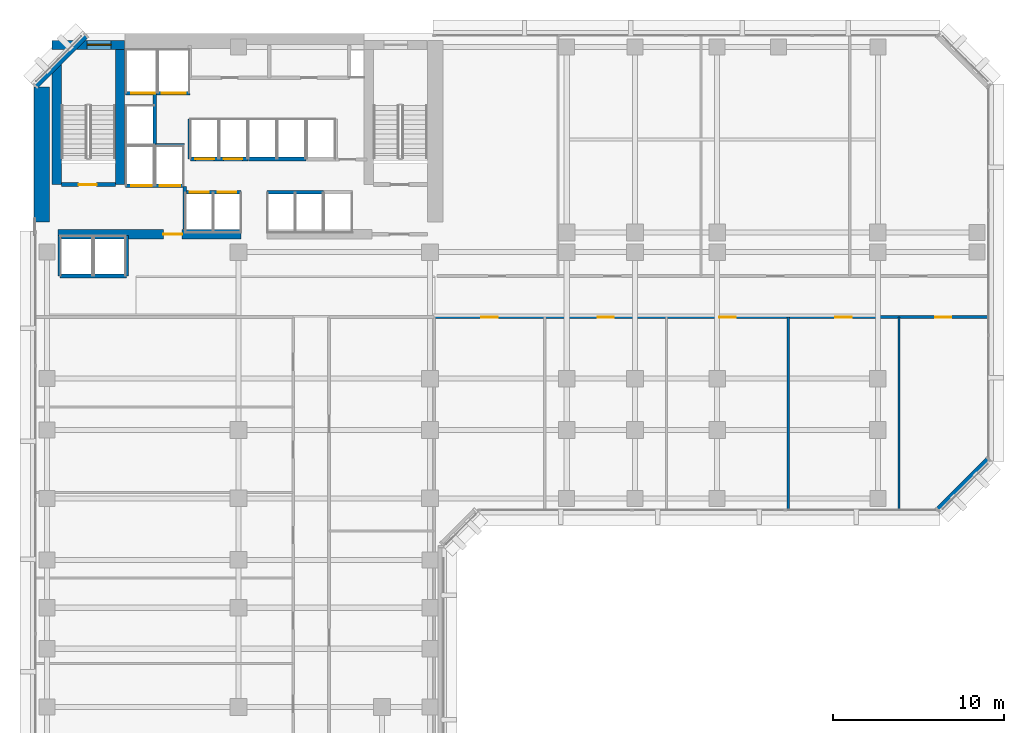
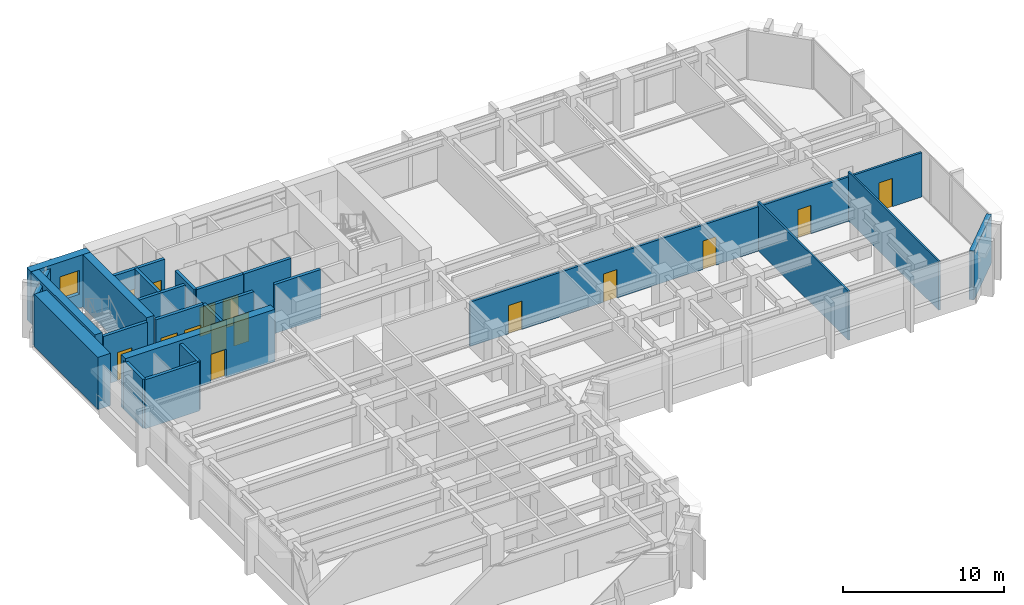
# One storey, part 7 of 13: 24 walls, 15 doors, 1 window, 16 openings.
"""IFC4 building model written with IfcOpenShell, lengths in metres."""

from ifc_helpers import new_model, si_unit, direction, frame, frame_2d, origin, place, context, subcontext, project, spatial, rectangle, extrude, material, layer, layer_set, type_object, element, fill, save


model = new_model("IFC4")

# Units and contexts
model_context = context("Model", 3, precision=1e-05, world=origin(), true_north=direction((0.0, 1.0)))
body_context = subcontext(model_context, "Body", "Model", "MODEL_VIEW")
ifc_project = project(units=[si_unit("LENGTHUNIT", "METRE"), si_unit("AREAUNIT", "SQUARE_METRE"), si_unit("VOLUMEUNIT", "CUBIC_METRE"), si_unit("PLANEANGLEUNIT", "RADIAN"), si_unit("MASSUNIT", "GRAM", prefix="KILO")], contexts=[model_context])

# Site, building, storey
site_placement = place(None, origin())
site = spatial("IfcSite", under=ifc_project, at=site_placement, CompositionType="ELEMENT")
building_placement = place(site_placement, origin())
building = spatial("IfcBuilding", under=site, at=building_placement, Name="Kefirva Bronze Tower", CompositionType="ELEMENT")
storey_placement = place(building_placement, frame((0.0, 0.0, 62.0400390625)))
storey = spatial("IfcBuildingStorey", under=building, at=storey_placement, Name="L14", CompositionType="ELEMENT", Elevation=62.0400390625)

# Walls
ifc_material_1 = material(Name="Gypsum acoustic partition")
ifc_layer_1 = layer(ifc_material_1, 0.1298828125, Name="Gypsum acoustic partition")
ifc_layer_set_1 = layer_set([ifc_layer_1], Name="Gypsum acoustic partition")
wall_type_1 = type_object("IfcWallType", Name="Acoustic Office Partition 130mm", PredefinedType="PARTITIONING", material=ifc_layer_set_1)
for number, where, z_axis, x_axis, name in (
    (1, (44.160400390625, 18.18994140625, 0.0), (0.0, 0.0, 1.0), (0.0, 1.0, 0.0), "L14 Partition W-L14-ESD3"),
    (2, (50.63232421875, 18.18994140625, 0.0), (0.0, 0.0, 1.0), (0.0, 1.0, 0.0), "L14 Partition W-L14-ESD4"),
):
    element("IfcWall", number, at=place(storey_placement, frame(where, z_axis=z_axis, x_axis=x_axis)), inside=storey, type_object=wall_type_1, Name=name, PredefinedType="PARTITIONING", context=body_context, shape_type="SweptSolid", body=[
        extrude(rectangle(XDim=11.2099609375, YDim=0.1298828125, at=frame_2d((5.60498046875, 0.0))), origin(), (0.0, 0.0, 1.0), 3.7099609375),
    ])

# Wall, opening, door
ifc_material_2 = material(Name="Gypsum fireboard shaftwall")
ifc_layer_2 = layer(ifc_material_2, 0.219970703125, Name="Gypsum fireboard shaftwall")
ifc_layer_set_2 = layer_set([ifc_layer_2], Name="Gypsum fireboard shaftwall")
wall_type_2 = type_object("IfcWallType", Name="Fire-Rated Shaft Enclosure Wall 220mm", PredefinedType="PARTITIONING", material=ifc_layer_set_2)
wall_1_placement = place(storey_placement, frame((1.64990234375, 37.14990234375, 0.0), z_axis=(0.0, 0.0, 1.0), x_axis=(1.0, 0.0, 0.0)))
wall_1 = element("IfcWall", 3, at=wall_1_placement, inside=storey, type_object=wall_type_2, Name="L14 Partition W-L14-ST1S", PredefinedType="PARTITIONING", context=body_context, shape_type="SweptSolid", body=[
    extrude(rectangle(XDim=3.150146484375, YDim=0.219970703125, at=frame_2d((1.5751953125, 0.0))), origin(), (0.0, 0.0, 1.0), 3.7099609375),
])
opening_1_placement = place(wall_1_placement, frame((2.050048828125, 0.0, 0.0), z_axis=(0.0, 0.0, 1.0), x_axis=(-1.0, 0.0, 0.0)))
opening_1 = element("IfcOpeningElement", 4, at=opening_1_placement, cuts=wall_1, Name="Opening L14-D001", PredefinedType="OPENING", context=body_context, shape_type="SweptSolid", body=[
    extrude(rectangle(XDim=1.050048828125, YDim=2.14990234375, at=frame_2d((0.52490234375, 1.074951171875))), frame((0.0, 0.1201171875, 0.0), z_axis=(0.0, -1.0, 0.0), x_axis=(1.0, 0.0, 0.0)), (0.0, 0.0, 1.0), 0.239990234375),
])
ifc_material_3 = material(Name="Painted galvanized steel", Category="steel")
door_type_1 = type_object("IfcDoorType", Name="Fire Stair Enclosure Door 1050x2150 FD90S", OperationType="NOTDEFINED", PredefinedType="DOOR", material=ifc_material_3)
door_1_placement = place(opening_1_placement, origin())
door_1 = element("IfcDoor", 5, at=door_1_placement, inside=storey, type_object=door_type_1, Name="Door L14-D001", OperationType="SINGLE_SWING_RIGHT", OverallHeight=2.14990234375, OverallWidth=1.050048828125, PredefinedType="DOOR", context=body_context, shape_type="SweptSolid", body=[
    extrude(rectangle(XDim=1.050048828125, YDim=2.14990234375, at=frame_2d((0.52490234375, 1.074951171875))), frame((0.0, 0.02490234375, 0.0), z_axis=(0.0, -1.0, 0.0), x_axis=(1.0, 0.0, 0.0)), (0.0, 0.0, 1.0), 0.050048828125),
])
fill(opening_1, door_1)

# Wall, openings, doors
wall_2_placement = place(storey_placement, frame((5.3798828125, 37.080078125, 0.0), z_axis=(0.0, 0.0, 1.0), x_axis=(1.0, 0.0, 0.0)))
wall_2 = element("IfcWall", 6, at=wall_2_placement, inside=storey, type_object=wall_type_2, Name="L14 Partition W-L14-FFS", PredefinedType="PARTITIONING", context=body_context, shape_type="SweptSolid", body=[
    extrude(rectangle(XDim=3.460205078125, YDim=0.219970703125, at=frame_2d((1.72998046875, 0.0))), origin(), (0.0, 0.0, 1.0), 3.7099609375),
])
opening_2_placement = place(wall_2_placement, frame((1.550048828125, 0.0, 0.0), z_axis=(0.0, 0.0, 1.0), x_axis=(-1.0, 0.0, 0.0)))
opening_2 = element("IfcOpeningElement", 7, at=opening_2_placement, cuts=wall_2, Name="Opening L14-LD-FF1", PredefinedType="OPENING", context=body_context, shape_type="SweptSolid", body=[
    extrude(rectangle(XDim=1.199951171875, YDim=2.199951171875, at=frame_2d((0.60009765625, 1.10009765625))), frame((0.0, 0.1201171875, 0.0), z_axis=(0.0, -1.0, 0.0), x_axis=(1.0, 0.0, 0.0)), (0.0, 0.0, 1.0), 0.239990234375),
])
opening_3_placement = place(wall_2_placement, frame((3.219970703125, 0.0, 0.0), z_axis=(0.0, 0.0, 1.0), x_axis=(-1.0, 0.0, 0.0)))
opening_3 = element("IfcOpeningElement", 8, at=opening_3_placement, cuts=wall_2, Name="Opening L14-LD-FF2", PredefinedType="OPENING", context=body_context, shape_type="SweptSolid", body=[
    extrude(rectangle(XDim=1.199951171875, YDim=2.199951171875, at=frame_2d((0.60009765625, 1.10009765625))), frame((0.0, 0.1201171875, 0.0), z_axis=(0.0, -1.0, 0.0), x_axis=(1.0, 0.0, 0.0)), (0.0, 0.0, 1.0), 0.239990234375),
])
ifc_material_4 = material(Name="Stainless steel 316", Category="steel")
door_type_2 = type_object("IfcDoorType", Name="Firefighting Lift Sliding Door 1200x2200", OperationType="SLIDING_TO_RIGHT", PredefinedType="DOOR", material=ifc_material_4)
door_2_placement = place(opening_2_placement, origin())
door_2 = element("IfcDoor", 9, at=door_2_placement, inside=storey, type_object=door_type_2, Name="Door L14-LD-FF1", OperationType="SLIDING_TO_RIGHT", OverallHeight=2.199951171875, OverallWidth=1.199951171875, PredefinedType="DOOR", context=body_context, shape_type="SweptSolid", body=[
    extrude(rectangle(XDim=1.199951171875, YDim=2.199951171875, at=frame_2d((0.60009765625, 1.10009765625))), frame((0.0, 0.02490234375, 0.0), z_axis=(0.0, -1.0, 0.0), x_axis=(1.0, 0.0, 0.0)), (0.0, 0.0, 1.0), 0.050048828125),
])
fill(opening_2, door_2)
door_3_placement = place(opening_3_placement, origin())
door_3 = element("IfcDoor", 10, at=door_3_placement, inside=storey, type_object=door_type_2, Name="Door L14-LD-FF2", OperationType="SLIDING_TO_RIGHT", OverallHeight=2.199951171875, OverallWidth=1.199951171875, PredefinedType="DOOR", context=body_context, shape_type="SweptSolid", body=[
    extrude(rectangle(XDim=1.199951171875, YDim=2.199951171875, at=frame_2d((0.60009765625, 1.10009765625))), frame((0.0, 0.02490234375, 0.0), z_axis=(0.0, -1.0, 0.0), x_axis=(1.0, 0.0, 0.0)), (0.0, 0.0, 1.0), 0.050048828125),
])
fill(opening_3, door_3)

# Wall
wall_3_placement = place(storey_placement, frame((5.3798828125, 39.449951171875, 0.0), z_axis=(0.0, 0.0, 1.0), x_axis=(1.0, 0.0, 0.0)))
element("IfcWall", 11, at=wall_3_placement, inside=storey, type_object=wall_type_2, Name="L14 Partition W-L14-FFN", PredefinedType="PARTITIONING", context=body_context, shape_type="SweptSolid", body=[
    extrude(rectangle(XDim=3.460205078125, YDim=0.219970703125, at=frame_2d((1.72998046875, 0.0))), origin(), (0.0, 0.0, 1.0), 3.7099609375),
])

# Wall, openings, doors
wall_4_placement = place(storey_placement, frame((5.3798828125, 42.5, 0.0), z_axis=(0.0, 0.0, 1.0), x_axis=(1.0, 0.0, 0.0)))
wall_4 = element("IfcWall", 12, at=wall_4_placement, inside=storey, type_object=wall_type_2, Name="L14 Partition W-L14-SVS", PredefinedType="PARTITIONING", context=body_context, shape_type="SweptSolid", body=[
    extrude(rectangle(XDim=3.77001953125, YDim=0.219970703125, at=frame_2d((1.885009765625, 0.0))), origin(), (0.0, 0.0, 1.0), 3.7099609375),
])
opening_4_placement = place(wall_4_placement, frame((1.75, 0.0, 0.0), z_axis=(0.0, 0.0, 1.0), x_axis=(-1.0, 0.0, 0.0)))
opening_4 = element("IfcOpeningElement", 13, at=opening_4_placement, cuts=wall_4, Name="Opening L14-LD-SV1", PredefinedType="OPENING", context=body_context, shape_type="SweptSolid", body=[
    extrude(rectangle(XDim=1.39990234375, YDim=2.199951171875, at=frame_2d((0.699951171875, 1.10009765625))), frame((0.0, 0.1201171875, 0.0), z_axis=(0.0, -1.0, 0.0), x_axis=(1.0, 0.0, 0.0)), (0.0, 0.0, 1.0), 0.239990234375),
])
opening_5_placement = place(wall_4_placement, frame((3.52978515625, 0.0, 0.0), z_axis=(0.0, 0.0, 1.0), x_axis=(-1.0, 0.0, 0.0)))
opening_5 = element("IfcOpeningElement", 14, at=opening_5_placement, cuts=wall_4, Name="Opening L14-LD-SV2", PredefinedType="OPENING", context=body_context, shape_type="SweptSolid", body=[
    extrude(rectangle(XDim=1.39990234375, YDim=2.199951171875, at=frame_2d((0.699951171875, 1.10009765625))), frame((0.0, 0.1201171875, 0.0), z_axis=(0.0, -1.0, 0.0), x_axis=(1.0, 0.0, 0.0)), (0.0, 0.0, 1.0), 0.239990234375),
])
door_type_3 = type_object("IfcDoorType", Name="Goods Lift Bi-Parting Sliding Door 1400x2200", OperationType="SLIDING_TO_LEFT", PredefinedType="DOOR", material=ifc_material_4)
door_4_placement = place(opening_4_placement, origin())
door_4 = element("IfcDoor", 15, at=door_4_placement, inside=storey, type_object=door_type_3, Name="Door L14-LD-SV1", OperationType="SLIDING_TO_LEFT", OverallHeight=2.199951171875, OverallWidth=1.39990234375, PredefinedType="DOOR", context=body_context, shape_type="SweptSolid", body=[
    extrude(rectangle(XDim=1.39990234375, YDim=2.199951171875, at=frame_2d((0.699951171875, 1.10009765625))), frame((0.0, 0.02490234375, 0.0), z_axis=(0.0, -1.0, 0.0), x_axis=(1.0, 0.0, 0.0)), (0.0, 0.0, 1.0), 0.050048828125),
])
fill(opening_4, door_4)
door_5_placement = place(opening_5_placement, origin())
door_5 = element("IfcDoor", 16, at=door_5_placement, inside=storey, type_object=door_type_3, Name="Door L14-LD-SV2", OperationType="SLIDING_TO_LEFT", OverallHeight=2.199951171875, OverallWidth=1.39990234375, PredefinedType="DOOR", context=body_context, shape_type="SweptSolid", body=[
    extrude(rectangle(XDim=1.39990234375, YDim=2.199951171875, at=frame_2d((0.699951171875, 1.10009765625))), frame((0.0, 0.02490234375, 0.0), z_axis=(0.0, -1.0, 0.0), x_axis=(1.0, 0.0, 0.0)), (0.0, 0.0, 1.0), 0.050048828125),
])
fill(opening_5, door_5)

# Walls
wall_5_placement = place(storey_placement, frame((7.10009765625, 39.52001953125, 0.0), z_axis=(0.0, 0.0, 1.0), x_axis=(0.0, 1.0, 0.0)))
element("IfcWall", 17, at=wall_5_placement, inside=storey, type_object=wall_type_2, Name="L14 Partition W-L14-HP3E", PredefinedType="PARTITIONING", context=body_context, shape_type="SweptSolid", body=[
    extrude(rectangle(XDim=2.929931640625, YDim=0.219970703125, at=frame_2d((1.46484375, 0.0))), origin(), (0.0, 0.0, 1.0), 3.7099609375),
])
wall_6_placement = place(storey_placement, frame((1.550048828125, 31.800048828125, 0.0), z_axis=(0.0, 0.0, 1.0), x_axis=(1.0, 0.0, 0.0)))
element("IfcWall", 18, at=wall_6_placement, inside=storey, type_object=wall_type_2, Name="L14 Partition W-L14-OBS", PredefinedType="PARTITIONING", context=body_context, shape_type="SweptSolid", body=[
    extrude(rectangle(XDim=3.89990234375, YDim=0.219970703125, at=frame_2d((1.949951171875, 0.0))), origin(), (0.0, 0.0, 1.0), 3.7099609375),
])
for number, where, z_axis, x_axis, name in (
    (19, (1.550048828125, 31.800048828125, 0.0), (0.0, 0.0, 1.0), (0.0, 1.0, 0.0), "L14 Partition W-L14-OBW"),
    (20, (5.449951171875, 31.800048828125, 0.0), (0.0, 0.0, 1.0), (0.0, 1.0, 0.0), "L14 Partition W-L14-OBE"),
):
    element("IfcWall", number, at=place(storey_placement, frame(where, z_axis=z_axis, x_axis=x_axis)), inside=storey, type_object=wall_type_2, Name=name, PredefinedType="PARTITIONING", context=body_context, shape_type="SweptSolid", body=[
        extrude(rectangle(XDim=2.3798828125, YDim=0.219970703125, at=frame_2d((1.18994140625, 0.0))), origin(), (0.0, 0.0, 1.0), 3.7099609375),
    ])
wall_7_placement = place(storey_placement, frame((9.159912109375, 38.64990234375, 0.0), z_axis=(0.0, 0.0, 1.0), x_axis=(0.0, 1.0, 0.0)))
element("IfcWall", 21, at=wall_7_placement, inside=storey, type_object=wall_type_2, Name="L14 Partition W-L14-LP3W", PredefinedType="PARTITIONING", context=body_context, shape_type="SweptSolid", body=[
    extrude(rectangle(XDim=2.35009765625, YDim=0.199951171875, at=frame_2d((1.175048828125, 0.0))), origin(), (0.0, 0.0, 1.0), 3.7099609375),
])

# Wall, openings, doors
wall_8_placement = place(storey_placement, frame((8.89990234375, 36.699951171875, 0.0), z_axis=(0.0, 0.0, 1.0), x_axis=(1.0, 0.0, 0.0)))
wall_8 = element("IfcWall", 22, at=wall_8_placement, inside=storey, type_object=wall_type_2, Name="L14 Partition W-L14-LPS", PredefinedType="PARTITIONING", context=body_context, shape_type="SweptSolid", body=[
    extrude(rectangle(XDim=3.260009765625, YDim=0.219970703125, at=frame_2d((1.6298828125, 0.0))), origin(), (0.0, 0.0, 1.0), 3.7099609375),
])
opening_6_placement = place(wall_8_placement, frame((0.260009765625, 0.0, 0.0)))
opening_6 = element("IfcOpeningElement", 23, at=opening_6_placement, cuts=wall_8, Name="Opening L14-LD-LP1", PredefinedType="OPENING", context=body_context, shape_type="SweptSolid", body=[
    extrude(rectangle(XDim=1.10009765625, YDim=2.199951171875, at=frame_2d((0.550048828125, 1.10009765625))), frame((0.0, 0.1201171875, 0.0), z_axis=(0.0, -1.0, 0.0), x_axis=(1.0, 0.0, 0.0)), (0.0, 0.0, 1.0), 0.239990234375),
])
opening_7_placement = place(wall_8_placement, frame((1.8798828125, 0.0, 0.0)))
opening_7 = element("IfcOpeningElement", 24, at=opening_7_placement, cuts=wall_8, Name="Opening L14-LD-LP2", PredefinedType="OPENING", context=body_context, shape_type="SweptSolid", body=[
    extrude(rectangle(XDim=1.10009765625, YDim=2.199951171875, at=frame_2d((0.550048828125, 1.10009765625))), frame((0.0, 0.1201171875, 0.0), z_axis=(0.0, -1.0, 0.0), x_axis=(1.0, 0.0, 0.0)), (0.0, 0.0, 1.0), 0.239990234375),
])
door_type_4 = type_object("IfcDoorType", Name="Passenger Lift Sliding Landing Door 1100x2200", OperationType="SLIDING_TO_LEFT", PredefinedType="DOOR", material=ifc_material_4)
door_6_placement = place(opening_6_placement, origin())
door_6 = element("IfcDoor", 25, at=door_6_placement, inside=storey, type_object=door_type_4, Name="Door L14-LD-LP1", OperationType="SLIDING_TO_LEFT", OverallHeight=2.199951171875, OverallWidth=1.10009765625, PredefinedType="DOOR", context=body_context, shape_type="SweptSolid", body=[
    extrude(rectangle(XDim=1.10009765625, YDim=2.199951171875, at=frame_2d((0.550048828125, 1.10009765625))), frame((0.0, 0.02490234375, 0.0), z_axis=(0.0, -1.0, 0.0), x_axis=(1.0, 0.0, 0.0)), (0.0, 0.0, 1.0), 0.050048828125),
])
fill(opening_6, door_6)
door_7_placement = place(opening_7_placement, origin())
door_7 = element("IfcDoor", 26, at=door_7_placement, inside=storey, type_object=door_type_4, Name="Door L14-LD-LP2", OperationType="SLIDING_TO_LEFT", OverallHeight=2.199951171875, OverallWidth=1.10009765625, PredefinedType="DOOR", context=body_context, shape_type="SweptSolid", body=[
    extrude(rectangle(XDim=1.10009765625, YDim=2.199951171875, at=frame_2d((0.550048828125, 1.10009765625))), frame((0.0, 0.02490234375, 0.0), z_axis=(0.0, -1.0, 0.0), x_axis=(1.0, 0.0, 0.0)), (0.0, 0.0, 1.0), 0.050048828125),
])
fill(opening_7, door_7)

wall_9_placement = place(storey_placement, frame((9.179931640625, 38.64990234375, 0.0), z_axis=(0.0, 0.0, 1.0), x_axis=(1.0, 0.0, 0.0)))
wall_9 = element("IfcWall", 27, at=wall_9_placement, inside=storey, type_object=wall_type_2, Name="L14 Partition W-L14-LPN", PredefinedType="PARTITIONING", context=body_context, shape_type="SweptSolid", body=[
    extrude(rectangle(XDim=3.380126953125, YDim=0.219970703125, at=frame_2d((1.68994140625, 0.0))), origin(), (0.0, 0.0, 1.0), 3.7099609375),
])
opening_8_placement = place(wall_9_placement, frame((0.300048828125, 0.0, 0.0)))
opening_8 = element("IfcOpeningElement", 28, at=opening_8_placement, cuts=wall_9, Name="Opening L14-LD-LP3", PredefinedType="OPENING", context=body_context, shape_type="SweptSolid", body=[
    extrude(rectangle(XDim=1.10009765625, YDim=2.199951171875, at=frame_2d((0.550048828125, 1.10009765625))), frame((0.0, 0.1201171875, 0.0), z_axis=(0.0, -1.0, 0.0), x_axis=(1.0, 0.0, 0.0)), (0.0, 0.0, 1.0), 0.239990234375),
])
opening_9_placement = place(wall_9_placement, frame((1.949951171875, 0.0, 0.0)))
opening_9 = element("IfcOpeningElement", 29, at=opening_9_placement, cuts=wall_9, Name="Opening L14-LD-LP4", PredefinedType="OPENING", context=body_context, shape_type="SweptSolid", body=[
    extrude(rectangle(XDim=1.10009765625, YDim=2.199951171875, at=frame_2d((0.550048828125, 1.10009765625))), frame((0.0, 0.1201171875, 0.0), z_axis=(0.0, -1.0, 0.0), x_axis=(1.0, 0.0, 0.0)), (0.0, 0.0, 1.0), 0.239990234375),
])
door_8_placement = place(opening_8_placement, origin())
door_8 = element("IfcDoor", 30, at=door_8_placement, inside=storey, type_object=door_type_4, Name="Door L14-LD-LP3", OperationType="SLIDING_TO_LEFT", OverallHeight=2.199951171875, OverallWidth=1.10009765625, PredefinedType="DOOR", context=body_context, shape_type="SweptSolid", body=[
    extrude(rectangle(XDim=1.10009765625, YDim=2.199951171875, at=frame_2d((0.550048828125, 1.10009765625))), frame((0.0, 0.02490234375, 0.0), z_axis=(0.0, -1.0, 0.0), x_axis=(1.0, 0.0, 0.0)), (0.0, 0.0, 1.0), 0.050048828125),
])
fill(opening_8, door_8)
door_9_placement = place(opening_9_placement, origin())
door_9 = element("IfcDoor", 31, at=door_9_placement, inside=storey, type_object=door_type_4, Name="Door L14-LD-LP4", OperationType="SLIDING_TO_LEFT", OverallHeight=2.199951171875, OverallWidth=1.10009765625, PredefinedType="DOOR", context=body_context, shape_type="SweptSolid", body=[
    extrude(rectangle(XDim=1.10009765625, YDim=2.199951171875, at=frame_2d((0.550048828125, 1.10009765625))), frame((0.0, 0.02490234375, 0.0), z_axis=(0.0, -1.0, 0.0), x_axis=(1.0, 0.0, 0.0)), (0.0, 0.0, 1.0), 0.050048828125),
])
fill(opening_9, door_9)

# Walls
wall_10_placement = place(storey_placement, frame((13.679931640625, 36.699951171875, 0.0), z_axis=(0.0, 0.0, 1.0), x_axis=(1.0, 0.0, 0.0)))
element("IfcWall", 32, at=wall_10_placement, inside=storey, type_object=wall_type_2, Name="L14 Partition W-L14-MPS", PredefinedType="PARTITIONING", context=body_context, shape_type="SweptSolid", body=[
    extrude(rectangle(XDim=3.280029296875, YDim=0.219970703125, at=frame_2d((1.64013671875, 0.0))), origin(), (0.0, 0.0, 1.0), 3.7099609375),
])
wall_11_placement = place(storey_placement, frame((12.580078125, 38.64990234375, 0.0), z_axis=(0.0, 0.0, 1.0), x_axis=(1.0, 0.0, 0.0)))
element("IfcWall", 33, at=wall_11_placement, inside=storey, type_object=wall_type_2, Name="L14 Partition W-L14-MPN", PredefinedType="PARTITIONING", context=body_context, shape_type="SweptSolid", body=[
    extrude(rectangle(XDim=3.3798828125, YDim=0.219970703125, at=frame_2d((1.68994140625, 0.0))), origin(), (0.0, 0.0, 1.0), 3.7099609375),
])
ifc_material_5 = material(Name="Gypsum fireboard barrier")
ifc_layer_3 = layer(ifc_material_5, 0.199951171875, Name="Gypsum fireboard barrier")
ifc_layer_set_3 = layer_set([ifc_layer_3], Name="Gypsum fireboard barrier")
wall_type_3 = type_object("IfcWallType", Name="Firefighting Lobby Barrier Wall 200mm", PredefinedType="PARTITIONING", material=ifc_layer_set_3)
wall_12_placement = place(storey_placement, frame((8.860107421875, 34.550048828125, 0.0), z_axis=(0.0, 0.0, 1.0), x_axis=(0.0, 1.0, 0.0)))
element("IfcWall", 34, at=wall_12_placement, inside=storey, type_object=wall_type_3, Name="L14 Partition W-L14-FFLE", PredefinedType="PARTITIONING", context=body_context, shape_type="SweptSolid", body=[
    extrude(rectangle(XDim=2.5, YDim=0.199951171875, at=frame_2d((1.25, 0.0))), origin(), (0.0, 0.0, 1.0), 3.7099609375),
])
ifc_material_6 = material(Name="Precast concrete C40/50", Category="concrete")
ifc_layer_4 = layer(ifc_material_6, 0.320068359375, Name="Precast concrete C40/50")
ifc_layer_set_4 = layer_set([ifc_layer_4], Name="Precast concrete C40/50")
wall_type_4 = type_object("IfcWallType", Name="Precast Insulated Exterior Wall 320mm", PredefinedType="SOLIDWALL", material=ifc_layer_set_4)
for number, where, z_axis, x_axis, name in (
    (35, (52.92578125, 18.152099609375, 0.0), (0.0, 0.0, 1.0), (0.707106781187, 0.707106781187, 0.0), "L14 Exterior Facade Wall 4"),
    (36, (3.07421875, 45.847900390625, 0.0), (0.0, 0.0, 1.0), (-0.707106781187, -0.707106781187, 0.0), "L14 Exterior Facade Wall 6"),
):
    element("IfcWall", number, at=place(storey_placement, frame(where, z_axis=z_axis, x_axis=x_axis)), inside=storey, type_object=wall_type_4, Name=name, PredefinedType="SOLIDWALL", context=body_context, shape_type="SweptSolid", body=[
        extrude(rectangle(XDim=4.132568359375, YDim=0.320068359375, at=frame_2d((2.06640625, 0.0))), origin(), (0.0, 0.0, 1.0), 3.7099609375),
    ])

# Wall, openings, doors
ifc_layer_5 = layer(ifc_material_1, 0.159912109375, Name="Gypsum acoustic partition")
ifc_layer_set_5 = layer_set([ifc_layer_5], Name="Gypsum acoustic partition")
wall_type_5 = type_object("IfcWallType", Name="Protected Corridor Partition 160mm", PredefinedType="PARTITIONING", material=ifc_layer_set_5)
wall_13_placement = place(storey_placement, frame((23.449951171875, 29.39990234375, 0.0), z_axis=(0.0, 0.0, 1.0), x_axis=(1.0, 0.0, 0.0)))
wall_13 = element("IfcWall", 37, at=wall_13_placement, inside=storey, type_object=wall_type_5, Name="L14 Partition W-L14-EWS", PredefinedType="PARTITIONING", context=body_context, shape_type="SweptSolid", body=[
    extrude(rectangle(XDim=32.360107421875, YDim=0.159912109375, at=frame_2d((16.18017578125, 0.0))), origin(), (0.0, 0.0, 1.0), 3.364990234375),
])
opening_10_placement = place(wall_13_placement, frame((3.7109375, 0.0, 0.0), z_axis=(0.0, 0.0, 1.0), x_axis=(-1.0, 0.0, 0.0)))
opening_10 = element("IfcOpeningElement", 38, at=opening_10_placement, cuts=wall_13, Name="Opening L14-D-ES1", PredefinedType="OPENING", context=body_context, shape_type="SweptSolid", body=[
    extrude(rectangle(XDim=0.949951171875, YDim=2.14990234375, at=frame_2d((0.47509765625, 1.074951171875))), frame((0.0, 0.08984375, 0.0), z_axis=(0.0, -1.0, 0.0), x_axis=(1.0, 0.0, 0.0)), (0.0, 0.0, 1.0), 0.179931640625),
])
opening_11_placement = place(wall_13_placement, frame((10.506591796875, 0.0, 0.0), z_axis=(0.0, 0.0, 1.0), x_axis=(-1.0, 0.0, 0.0)))
opening_11 = element("IfcOpeningElement", 39, at=opening_11_placement, cuts=wall_13, Name="Opening L14-D-ES2", PredefinedType="OPENING", context=body_context, shape_type="SweptSolid", body=[
    extrude(rectangle(XDim=0.949951171875, YDim=2.14990234375, at=frame_2d((0.47509765625, 1.074951171875))), frame((0.0, 0.08984375, 0.0), z_axis=(0.0, -1.0, 0.0), x_axis=(1.0, 0.0, 0.0)), (0.0, 0.0, 1.0), 0.179931640625),
])
opening_12_placement = place(wall_13_placement, frame((17.625732421875, 0.0, 0.0), z_axis=(0.0, 0.0, 1.0), x_axis=(-1.0, 0.0, 0.0)))
opening_12 = element("IfcOpeningElement", 40, at=opening_12_placement, cuts=wall_13, Name="Opening L14-D-ES3", PredefinedType="OPENING", context=body_context, shape_type="SweptSolid", body=[
    extrude(rectangle(XDim=0.949951171875, YDim=2.14990234375, at=frame_2d((0.47509765625, 1.074951171875))), frame((0.0, 0.08984375, 0.0), z_axis=(0.0, -1.0, 0.0), x_axis=(1.0, 0.0, 0.0)), (0.0, 0.0, 1.0), 0.179931640625),
])
opening_13_placement = place(wall_13_placement, frame((24.42138671875, 0.0, 0.0), z_axis=(0.0, 0.0, 1.0), x_axis=(-1.0, 0.0, 0.0)))
opening_13 = element("IfcOpeningElement", 41, at=opening_13_placement, cuts=wall_13, Name="Opening L14-D-ES4", PredefinedType="OPENING", context=body_context, shape_type="SweptSolid", body=[
    extrude(rectangle(XDim=0.949951171875, YDim=2.14990234375, at=frame_2d((0.47509765625, 1.074951171875))), frame((0.0, 0.08984375, 0.0), z_axis=(0.0, -1.0, 0.0), x_axis=(1.0, 0.0, 0.0)), (0.0, 0.0, 1.0), 0.179931640625),
])
opening_14_placement = place(wall_13_placement, frame((30.24609375, 0.0, 0.0), z_axis=(0.0, 0.0, 1.0), x_axis=(-1.0, 0.0, 0.0)))
opening_14 = element("IfcOpeningElement", 42, at=opening_14_placement, cuts=wall_13, Name="Opening L14-D-ES5", PredefinedType="OPENING", context=body_context, shape_type="SweptSolid", body=[
    extrude(rectangle(XDim=0.949951171875, YDim=2.14990234375, at=frame_2d((0.47509765625, 1.074951171875))), frame((0.0, 0.08984375, 0.0), z_axis=(0.0, -1.0, 0.0), x_axis=(1.0, 0.0, 0.0)), (0.0, 0.0, 1.0), 0.179931640625),
])
ifc_material_7 = material(Name="Acoustic hardwood oak", Category="wood")
door_type_5 = type_object("IfcDoorType", Name="Office & Meeting Room Door 950x2150", OperationType="NOTDEFINED", PredefinedType="DOOR", material=ifc_material_7)
door_10_placement = place(opening_10_placement, origin())
door_10 = element("IfcDoor", 43, at=door_10_placement, inside=storey, type_object=door_type_5, Name="Door L14-D-ES1", OperationType="SINGLE_SWING_LEFT", OverallHeight=2.14990234375, OverallWidth=0.949951171875, PredefinedType="DOOR", context=body_context, shape_type="SweptSolid", body=[
    extrude(rectangle(XDim=0.949951171875, YDim=2.14990234375, at=frame_2d((0.47509765625, 1.074951171875))), frame((0.0, 0.02490234375, 0.0), z_axis=(0.0, -1.0, 0.0), x_axis=(1.0, 0.0, 0.0)), (0.0, 0.0, 1.0), 0.050048828125),
])
fill(opening_10, door_10)
door_11_placement = place(opening_11_placement, origin())
door_11 = element("IfcDoor", 44, at=door_11_placement, inside=storey, type_object=door_type_5, Name="Door L14-D-ES2", OperationType="SINGLE_SWING_RIGHT", OverallHeight=2.14990234375, OverallWidth=0.949951171875, PredefinedType="DOOR", context=body_context, shape_type="SweptSolid", body=[
    extrude(rectangle(XDim=0.949951171875, YDim=2.14990234375, at=frame_2d((0.47509765625, 1.074951171875))), frame((0.0, 0.02490234375, 0.0), z_axis=(0.0, -1.0, 0.0), x_axis=(1.0, 0.0, 0.0)), (0.0, 0.0, 1.0), 0.050048828125),
])
fill(opening_11, door_11)
door_12_placement = place(opening_12_placement, origin())
door_12 = element("IfcDoor", 45, at=door_12_placement, inside=storey, type_object=door_type_5, Name="Door L14-D-ES3", OperationType="SINGLE_SWING_LEFT", OverallHeight=2.14990234375, OverallWidth=0.949951171875, PredefinedType="DOOR", context=body_context, shape_type="SweptSolid", body=[
    extrude(rectangle(XDim=0.949951171875, YDim=2.14990234375, at=frame_2d((0.47509765625, 1.074951171875))), frame((0.0, 0.02490234375, 0.0), z_axis=(0.0, -1.0, 0.0), x_axis=(1.0, 0.0, 0.0)), (0.0, 0.0, 1.0), 0.050048828125),
])
fill(opening_12, door_12)
door_13_placement = place(opening_13_placement, origin())
door_13 = element("IfcDoor", 46, at=door_13_placement, inside=storey, type_object=door_type_5, Name="Door L14-D-ES4", OperationType="SINGLE_SWING_RIGHT", OverallHeight=2.14990234375, OverallWidth=0.949951171875, PredefinedType="DOOR", context=body_context, shape_type="SweptSolid", body=[
    extrude(rectangle(XDim=0.949951171875, YDim=2.14990234375, at=frame_2d((0.47509765625, 1.074951171875))), frame((0.0, 0.02490234375, 0.0), z_axis=(0.0, -1.0, 0.0), x_axis=(1.0, 0.0, 0.0)), (0.0, 0.0, 1.0), 0.050048828125),
])
fill(opening_13, door_13)
door_14_placement = place(opening_14_placement, origin())
door_14 = element("IfcDoor", 47, at=door_14_placement, inside=storey, type_object=door_type_5, Name="Door L14-D-ES5", OperationType="SINGLE_SWING_LEFT", OverallHeight=2.14990234375, OverallWidth=0.949951171875, PredefinedType="DOOR", context=body_context, shape_type="SweptSolid", body=[
    extrude(rectangle(XDim=0.949951171875, YDim=2.14990234375, at=frame_2d((0.47509765625, 1.074951171875))), frame((0.0, 0.02490234375, 0.0), z_axis=(0.0, -1.0, 0.0), x_axis=(1.0, 0.0, 0.0)), (0.0, 0.0, 1.0), 0.050048828125),
])
fill(opening_14, door_14)

# Wall, opening, window
ifc_material_8 = material(Name="Concrete C50/60", Category="concrete")
ifc_layer_6 = layer(ifc_material_8, 0.550048828125, Name="Concrete C50/60")
ifc_layer_set_6 = layer_set([ifc_layer_6], Name="Concrete C50/60")
wall_type_6 = type_object("IfcWallType", Name="RC Rear Core Exterior Wall 550mm", PredefinedType="SHEAR", material=ifc_layer_set_6)
wall_14_placement = place(storey_placement, frame((1.10009765625, 45.320068359375, 0.0), z_axis=(0.0, 0.0, 1.0), x_axis=(1.0, 0.0, 0.0)))
wall_14 = element("IfcWall", 48, at=wall_14_placement, inside=storey, type_object=wall_type_6, Name="L14 Stair 1 North Shear Wall", PredefinedType="SHEAR", context=body_context, shape_type="SweptSolid", body=[
    extrude(rectangle(XDim=4.239990234375, YDim=0.550048828125, at=frame_2d((2.1201171875, 0.0))), origin(), (0.0, 0.0, 1.0), 3.9599609375),
])
opening_15_placement = place(wall_14_placement, frame((2.050048828125, 0.0, 1.050048828125)))
opening_15 = element("IfcOpeningElement", 49, at=opening_15_placement, cuts=wall_14, Name="Opening WN-03", PredefinedType="OPENING", context=body_context, shape_type="SweptSolid", body=[
    extrude(rectangle(XDim=1.39990234375, YDim=1.800048828125, at=frame_2d((0.699951171875, 0.89990234375))), frame((0.0, 0.28515625, 0.0), z_axis=(0.0, -1.0, 0.0), x_axis=(1.0, 0.0, 0.0)), (0.0, 0.0, 1.0), 0.570068359375),
])
ifc_material_9 = material(Name="Laminated low-E double glazing", Category="glass")
window_type = type_object("IfcWindowType", Name="Rear-Core Stair Daylight Window 1400x1800", PartitioningType="SINGLE_PANEL", PredefinedType="WINDOW", material=ifc_material_9)
window_placement = place(opening_15_placement, origin())
window = element("IfcWindow", 50, at=window_placement, inside=storey, type_object=window_type, Name="L14 Stair 1 Daylight Window", OverallHeight=1.800048828125, OverallWidth=1.39990234375, PartitioningType="SINGLE_PANEL", PredefinedType="WINDOW", context=body_context, shape_type="SweptSolid", body=[
    extrude(rectangle(XDim=1.39990234375, YDim=1.800048828125, at=frame_2d((0.699951171875, 0.89990234375))), frame((0.0, 0.030029296875, 0.0), z_axis=(0.0, -1.0, 0.0), x_axis=(1.0, 0.0, 0.0)), (0.0, 0.0, 1.0), 0.06005859375),
])
fill(opening_15, window)

# Walls
ifc_material_10 = material(Name="Concrete C60/75", Category="concrete")
ifc_layer_7 = layer(ifc_material_10, 0.89990234375, Name="Concrete C60/75")
ifc_layer_set_7 = layer_set([ifc_layer_7], Name="Concrete C60/75")
wall_type_7 = type_object("IfcWallType", Name="RC Rear Core Exterior Wall 900mm", PredefinedType="SHEAR", material=ifc_layer_set_7)
wall_15_placement = place(storey_placement, frame((0.5, 34.949951171875, 0.0), z_axis=(0.0, 0.0, 1.0), x_axis=(0.0, 1.0, 0.0)))
element("IfcWall", 51, at=wall_15_placement, inside=storey, type_object=wall_type_7, Name="L14 Rear Core West Shear Wall", PredefinedType="SHEAR", context=body_context, shape_type="SweptSolid", body=[
    extrude(rectangle(XDim=7.900146484375, YDim=0.89990234375, at=frame_2d((3.9501953125, 0.0))), origin(), (0.0, 0.0, 1.0), 3.9599609375),
])
ifc_layer_8 = layer(ifc_material_8, 0.550048828125, Name="Concrete C50/60")
ifc_layer_set_8 = layer_set([ifc_layer_8], Name="Concrete C50/60")
wall_type_8 = type_object("IfcWallType", Name="RC Rear Core Interior Wall 550mm", PredefinedType="SHEAR", material=ifc_layer_set_8)
for number, where, z_axis, x_axis, name in (
    (52, (1.3701171875, 37.14990234375, 0.0), (0.0, 0.0, 1.0), (0.0, 1.0, 0.0), "L14 Stair 1 West Shear Wall"),
    (53, (5.070068359375, 37.14990234375, 0.0), (0.0, 0.0, 1.0), (0.0, 1.0, 0.0), "L14 Stair 1 East Shear Wall"),
):
    element("IfcWall", number, at=place(storey_placement, frame(where, z_axis=z_axis, x_axis=x_axis)), inside=storey, type_object=wall_type_8, Name=name, PredefinedType="SHEAR", context=body_context, shape_type="SweptSolid", body=[
        extrude(rectangle(XDim=7.89013671875, YDim=0.550048828125, at=frame_2d((3.945068359375, 0.0))), origin(), (0.0, 0.0, 1.0), 3.9599609375),
    ])

# Wall, opening, door
ifc_layer_9 = layer(ifc_material_10, 0.89990234375, Name="Concrete C60/75")
ifc_layer_set_9 = layer_set([ifc_layer_9], Name="Concrete C60/75")
wall_type_9 = type_object("IfcWallType", Name="RC Rear Core Interior Wall 900mm", PredefinedType="SHEAR", material=ifc_layer_set_9)
wall_16_placement = place(storey_placement, frame((1.449951171875, 34.25, 0.0), z_axis=(0.0, 0.0, 1.0), x_axis=(1.0, 0.0, 0.0)))
wall_16 = element("IfcWall", 54, at=wall_16_placement, inside=storey, type_object=wall_type_9, Name="L14 Rear Core South-West Shear Wall", PredefinedType="SHEAR", context=body_context, shape_type="SweptSolid", body=[
    extrude(rectangle(XDim=10.7099609375, YDim=0.550048828125, at=frame_2d((5.35498046875, 0.0))), origin(), (0.0, 0.0, 1.0), 3.9599609375),
])
opening_16_placement = place(wall_16_placement, frame((7.25, 0.0, 0.0), z_axis=(0.0, 0.0, 1.0), x_axis=(-1.0, 0.0, 0.0)))
opening_16 = element("IfcOpeningElement", 55, at=opening_16_placement, cuts=wall_16, Name="Opening L14-D002", PredefinedType="OPENING", context=body_context, shape_type="SweptSolid", body=[
    extrude(rectangle(XDim=1.10009765625, YDim=2.14990234375, at=frame_2d((0.550048828125, 1.074951171875))), frame((0.0, 0.28515625, 0.0), z_axis=(0.0, -1.0, 0.0), x_axis=(1.0, 0.0, 0.0)), (0.0, 0.0, 1.0), 0.570068359375),
])
door_type_6 = type_object("IfcDoorType", Name="Firefighting Lobby Smoke Door 1100x2150 FD60S", OperationType="NOTDEFINED", PredefinedType="DOOR", material=ifc_material_3)
door_15_placement = place(opening_16_placement, origin())
door_15 = element("IfcDoor", 56, at=door_15_placement, inside=storey, type_object=door_type_6, Name="Door L14-D002", OperationType="SINGLE_SWING_LEFT", OverallHeight=2.14990234375, OverallWidth=1.10009765625, PredefinedType="DOOR", context=body_context, shape_type="SweptSolid", body=[
    extrude(rectangle(XDim=1.10009765625, YDim=2.14990234375, at=frame_2d((0.550048828125, 1.074951171875))), frame((0.0, 0.02490234375, 0.0), z_axis=(0.0, -1.0, 0.0), x_axis=(1.0, 0.0, 0.0)), (0.0, 0.0, 1.0), 0.050048828125),
])
fill(opening_16, door_15)

save(model, "model.ifc")
